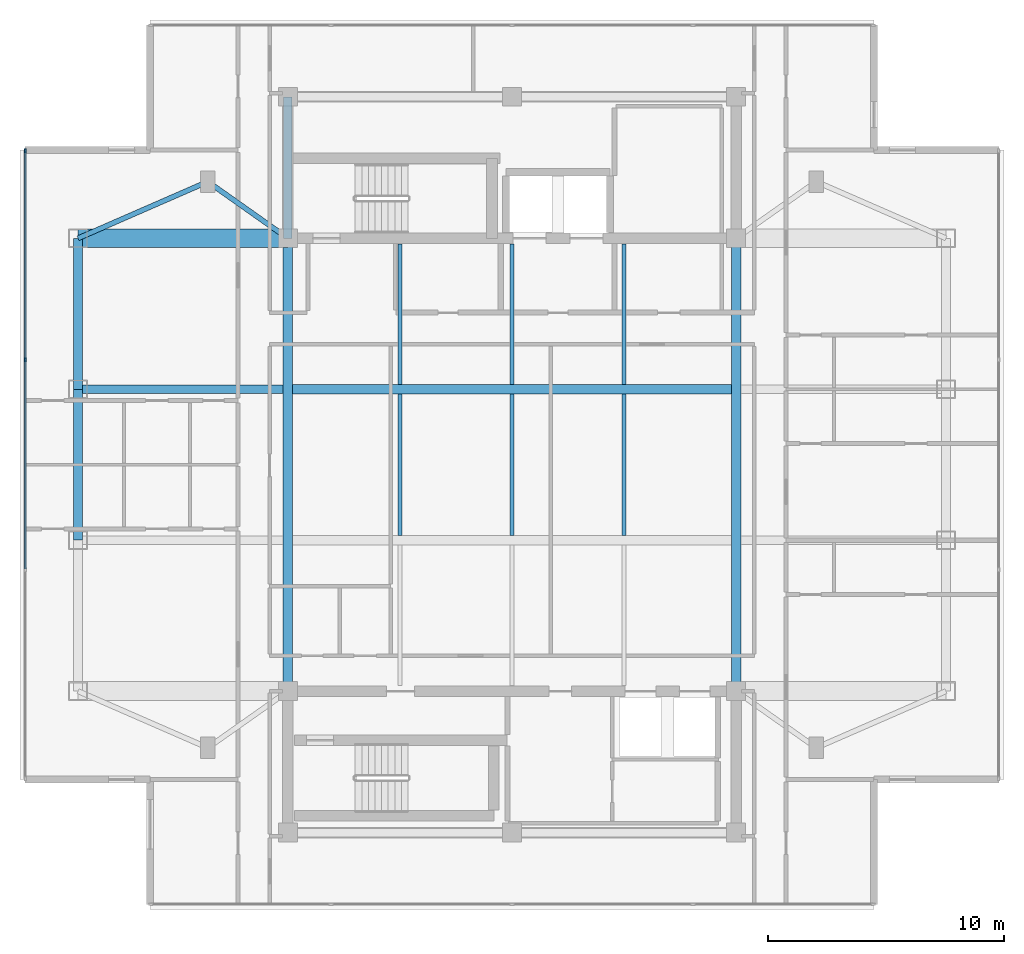
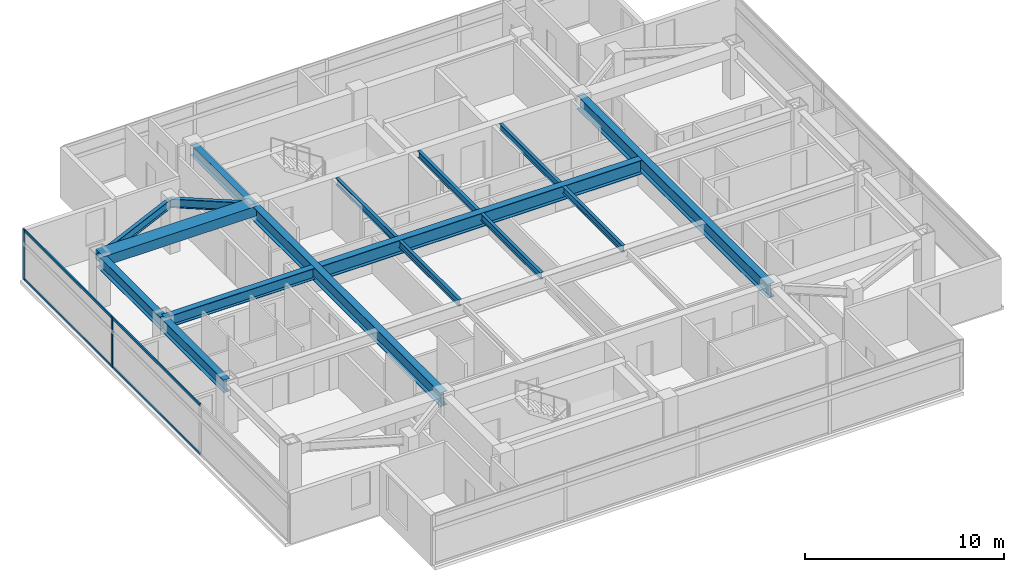
# One storey, part 3 of 12: 16 beams, 6 members, 1 element without a shape of its own.
"""IFC4 building model written with IfcOpenShell, lengths in metres."""

from ifc_helpers import new_model, si_unit, direction, frame, origin, origin_2d, place, context, subcontext, project, spatial, rectangle, i_section, extrude, material, material_profile, profile_set, type_object, element, aggregate, save


model = new_model("IFC4")

# Units and contexts
model_context = context("Model", 3, precision=1e-05, world=origin(), true_north=direction((0.0, 1.0)))
body_context = subcontext(model_context, "Body", "Model", "MODEL_VIEW")
ifc_project = project(units=[si_unit("LENGTHUNIT", "METRE"), si_unit("AREAUNIT", "SQUARE_METRE"), si_unit("VOLUMEUNIT", "CUBIC_METRE"), si_unit("PLANEANGLEUNIT", "RADIAN"), si_unit("MASSUNIT", "GRAM", prefix="KILO")], contexts=[model_context])

# Site, building, storey
site_placement = place(None, origin())
site = spatial("IfcSite", under=ifc_project, at=site_placement, CompositionType="ELEMENT")
building_placement = place(site_placement, origin())
building = spatial("IfcBuilding", under=site, at=building_placement, Name="Mirazonda Arch Towers", CompositionType="ELEMENT")
storey_placement = place(building_placement, frame((0.0, 0.0, 226.0)))
storey = spatial("IfcBuildingStorey", under=building, at=storey_placement, Name="L64", CompositionType="ELEMENT", Elevation=226.0)

# Beams
ifc_material_1 = material(Name="Steel ASTM A992 Grade 50", Category="steel")
ifc_material_profile_1 = material_profile(ifc_material_1, i_section(OverallWidth=0.381103515625, OverallDepth=0.77294921875, WebThickness=0.0166015625, FlangeThickness=0.027099609375, at=origin_2d()), Name="W30X173")
ifc_profile_set_1 = profile_set([ifc_material_profile_1], Name="Steel ASTM A992 Grade 50")
beam_type_1 = type_object("IfcBeamType", Name="BM-EXT-W30X173", PredefinedType="USERDEFINED", material=ifc_profile_set_1)
beam_1_placement = place(storey_placement, frame((2.10009765625, 24.800048828125, 2.71337890625), z_axis=(0.0, 1.0, 0.0), x_axis=(-1.0, 0.0, 0.0)))
element("IfcBeam", 1, at=beam_1_placement, inside=storey, type_object=beam_type_1, Name="L64 Floor Beam BM-T1-L64-NS-W-24", ObjectType="GIRDER", PredefinedType="USERDEFINED", context=body_context, shape_type="SweptSolid", body=[
    extrude(i_section(OverallWidth=0.381103515625, OverallDepth=0.77294921875, WebThickness=0.0166015625, FlangeThickness=0.027099609375, at=origin_2d()), origin(), (0.0, 0.0, 1.0), 6.39990234375),
])
beam_2_placement = place(storey_placement, frame((2.10009765625, 31.199951171875, 2.71337890625), z_axis=(0.0, 1.0, 0.0), x_axis=(-1.0, 0.0, 0.0)))
element("IfcBeam", 2, at=beam_2_placement, inside=storey, type_object=beam_type_1, Name="L64 Floor Beam BM-T1-L64-NS-W-31", ObjectType="GIRDER", PredefinedType="USERDEFINED", context=body_context, shape_type="SweptSolid", body=[
    extrude(i_section(OverallWidth=0.381103515625, OverallDepth=0.77294921875, WebThickness=0.0166015625, FlangeThickness=0.027099609375, at=origin_2d()), origin(), (0.0, 0.0, 1.0), 6.400146484375),
])
ifc_material_profile_2 = material_profile(ifc_material_1, i_section(OverallWidth=0.180908203125, OverallDepth=0.4169921875, WebThickness=0.010986328125, FlangeThickness=0.018310546875, at=origin_2d()), Name="W16X57")
ifc_profile_set_2 = profile_set([ifc_material_profile_2], Name="Steel ASTM A992 Grade 50")
beam_type_2 = type_object("IfcBeamType", Name="BM-INT-W16X57", PredefinedType="JOIST", material=ifc_profile_set_2)
beam_3_placement = place(storey_placement, frame((15.75, 31.39599609375, 2.8916015625), z_axis=(0.0, 1.0, 0.0), x_axis=(-1.0, 0.0, 0.0)))
element("IfcBeam", 3, at=beam_3_placement, inside=storey, type_object=beam_type_2, Name="L64 Floor Beam BM-T1-L64-J-157-31", PredefinedType="JOIST", context=body_context, shape_type="SweptSolid", body=[
    extrude(i_section(OverallWidth=0.180908203125, OverallDepth=0.4169921875, WebThickness=0.010986328125, FlangeThickness=0.018310546875, at=origin_2d()), origin(), (0.0, 0.0, 1.0), 5.964111328125),
])
beam_4_placement = place(storey_placement, frame((15.75, 24.99609375, 2.8916015625), z_axis=(0.0, 1.0, 0.0), x_axis=(-1.0, 0.0, 0.0)))
element("IfcBeam", 4, at=beam_4_placement, inside=storey, type_object=beam_type_2, Name="L64 Floor Beam BM-T1-L64-J-157-24", PredefinedType="JOIST", context=body_context, shape_type="SweptSolid", body=[
    extrude(i_section(OverallWidth=0.180908203125, OverallDepth=0.4169921875, WebThickness=0.010986328125, FlangeThickness=0.018310546875, at=origin_2d()), origin(), (0.0, 0.0, 1.0), 6.0078125),
])
beam_5_placement = place(storey_placement, frame((20.5, 31.39599609375, 2.8916015625), z_axis=(0.0, 1.0, 0.0), x_axis=(-1.0, 0.0, 0.0)))
element("IfcBeam", 5, at=beam_5_placement, inside=storey, type_object=beam_type_2, Name="L64 Floor Beam BM-T1-L64-J-205-31", PredefinedType="JOIST", context=body_context, shape_type="SweptSolid", body=[
    extrude(i_section(OverallWidth=0.180908203125, OverallDepth=0.4169921875, WebThickness=0.010986328125, FlangeThickness=0.018310546875, at=origin_2d()), origin(), (0.0, 0.0, 1.0), 5.964111328125),
])
beam_6_placement = place(storey_placement, frame((20.5, 24.99609375, 2.8916015625), z_axis=(0.0, 1.0, 0.0), x_axis=(-1.0, 0.0, 0.0)))
element("IfcBeam", 6, at=beam_6_placement, inside=storey, type_object=beam_type_2, Name="L64 Floor Beam BM-T1-L64-J-205-24", PredefinedType="JOIST", context=body_context, shape_type="SweptSolid", body=[
    extrude(i_section(OverallWidth=0.180908203125, OverallDepth=0.4169921875, WebThickness=0.010986328125, FlangeThickness=0.018310546875, at=origin_2d()), origin(), (0.0, 0.0, 1.0), 6.0078125),
])
beam_7_placement = place(storey_placement, frame((25.25, 31.39599609375, 2.8916015625), z_axis=(0.0, 1.0, 0.0), x_axis=(-1.0, 0.0, 0.0)))
element("IfcBeam", 7, at=beam_7_placement, inside=storey, type_object=beam_type_2, Name="L64 Floor Beam BM-T1-L64-J-252-31", PredefinedType="JOIST", context=body_context, shape_type="SweptSolid", body=[
    extrude(i_section(OverallWidth=0.180908203125, OverallDepth=0.4169921875, WebThickness=0.010986328125, FlangeThickness=0.018310546875, at=origin_2d()), origin(), (0.0, 0.0, 1.0), 5.964111328125),
])
beam_8_placement = place(storey_placement, frame((25.25, 24.99609375, 2.8916015625), z_axis=(0.0, 1.0, 0.0), x_axis=(-1.0, 0.0, 0.0)))
element("IfcBeam", 8, at=beam_8_placement, inside=storey, type_object=beam_type_2, Name="L64 Floor Beam BM-T1-L64-J-252-24", PredefinedType="JOIST", context=body_context, shape_type="SweptSolid", body=[
    extrude(i_section(OverallWidth=0.180908203125, OverallDepth=0.4169921875, WebThickness=0.010986328125, FlangeThickness=0.018310546875, at=origin_2d()), origin(), (0.0, 0.0, 1.0), 6.0078125),
])
ifc_material_profile_3 = material_profile(ifc_material_1, i_section(OverallWidth=0.214111328125, OverallDepth=0.549072265625, WebThickness=0.0146484375, FlangeThickness=0.023681640625, at=origin_2d()), Name="W21X93")
ifc_profile_set_3 = profile_set([ifc_material_profile_3], Name="Steel ASTM A992 Grade 50")
beam_type_3 = type_object("IfcBeamType", Name="BM-INT-W21X93", PredefinedType="BEAM", material=ifc_profile_set_3)
beam_9_placement = place(storey_placement, frame((7.60009765625, 40.0, 2.825439453125), z_axis=(0.816971114901, -0.576678591087, 0.0), x_axis=(0.576678591087, 0.816971114901, 0.0)))
element("IfcBeam", 9, at=beam_9_placement, inside=storey, type_object=beam_type_3, Name="L64 Floor Beam BM-T1-L64-PL-NW1", PredefinedType="BEAM", context=body_context, shape_type="SweptSolid", body=[
    extrude(i_section(OverallWidth=0.214111328125, OverallDepth=0.549072265625, WebThickness=0.0146484375, FlangeThickness=0.023681640625, at=origin_2d()), origin(), (0.0, 0.0, 1.0), 4.16162109375),
])
beam_10_placement = place(storey_placement, frame((7.60009765625, 40.0, 2.825439453125), z_axis=(-0.916545343703, -0.399930785183, 0.0), x_axis=(0.399930785183, -0.916545343703, 0.0)))
element("IfcBeam", 10, at=beam_10_placement, inside=storey, type_object=beam_type_3, Name="L64 Floor Beam BM-T1-L64-PL-NW2", PredefinedType="BEAM", context=body_context, shape_type="SweptSolid", body=[
    extrude(i_section(OverallWidth=0.214111328125, OverallDepth=0.549072265625, WebThickness=0.0146484375, FlangeThickness=0.023681640625, at=origin_2d()), origin(), (0.0, 0.0, 1.0), 6.000732421875),
])
ifc_material_profile_4 = material_profile(ifc_material_1, i_section(OverallWidth=0.35498046875, OverallDepth=0.696044921875, WebThickness=0.015380859375, FlangeThickness=0.02490234375, at=origin_2d()), Name="W27X146")
ifc_profile_set_4 = profile_set([ifc_material_profile_4], Name="Steel ASTM A992 Grade 50")
beam_type_4 = type_object("IfcBeamType", Name="BM-INT-W27X146", PredefinedType="BEAM", material=ifc_profile_set_4)
beam_11_placement = place(storey_placement, frame((2.10009765625, 31.199951171875, 2.751953125), z_axis=(1.0, 0.0, 0.0), x_axis=(0.0, 1.0, 0.0)))
element("IfcBeam", 11, at=beam_11_placement, inside=storey, type_object=beam_type_4, Name="L64 Floor Beam BM-T1-L64-GW3", PredefinedType="BEAM", context=body_context, shape_type="SweptSolid", body=[
    extrude(i_section(OverallWidth=0.35498046875, OverallDepth=0.696044921875, WebThickness=0.015380859375, FlangeThickness=0.02490234375, at=origin_2d()), origin(), (0.0, 0.0, 1.0), 8.699951171875),
])
beam_12_placement = place(storey_placement, frame((11.0, 37.60009765625, 2.751953125), z_axis=(0.0, 1.0, 0.0), x_axis=(-1.0, 0.0, 0.0)))
element("IfcBeam", 12, at=beam_12_placement, inside=storey, type_object=beam_type_4, Name="L64 Floor Beam BM-T1-L64-CNW", PredefinedType="BEAM", context=body_context, shape_type="SweptSolid", body=[
    extrude(i_section(OverallWidth=0.35498046875, OverallDepth=0.696044921875, WebThickness=0.015380859375, FlangeThickness=0.02490234375, at=origin_2d()), origin(), (0.0, 0.0, 1.0), 6.0),
])
ifc_material_profile_5 = material_profile(ifc_material_1, i_section(OverallWidth=0.39990234375, OverallDepth=0.85595703125, WebThickness=0.018310546875, FlangeThickness=0.029296875, at=origin_2d()), Name="W33X201")
ifc_profile_set_5 = profile_set([ifc_material_profile_5], Name="Steel ASTM A992 Grade 50")
beam_type_5 = type_object("IfcBeamType", Name="BM-INT-W33X201", PredefinedType="USERDEFINED", material=ifc_profile_set_5)
beam_13_placement = place(storey_placement, frame((11.199951171875, 31.199951171875, 2.672119140625), z_axis=(1.0, 0.0, 0.0), x_axis=(0.0, 1.0, 0.0)))
element("IfcBeam", 13, at=beam_13_placement, inside=storey, type_object=beam_type_5, Name="L64 Floor Beam BM-T1-L64-GC3", ObjectType="GIRDER", PredefinedType="USERDEFINED", context=body_context, shape_type="SweptSolid", body=[
    extrude(i_section(OverallWidth=0.39990234375, OverallDepth=0.85595703125, WebThickness=0.018310546875, FlangeThickness=0.029296875, at=origin_2d()), origin(), (0.0, 0.0, 1.0), 18.60009765625),
])
for number, where, z_axis, x_axis, name in (
    (14, (11.0, 18.39990234375, 2.672119140625), (0.0, 1.0, 0.0), (-1.0, 0.0, 0.0), "L64 Floor Beam BM-T1-L64-NS-CW-FULL"),
    (15, (30.0, 18.39990234375, 2.672119140625), (0.0, 1.0, 0.0), (-1.0, 0.0, 0.0), "L64 Floor Beam BM-T1-L64-NS-CE-FULL"),
):
    element("IfcBeam", number, at=place(storey_placement, frame(where, z_axis=z_axis, x_axis=x_axis)), inside=storey, type_object=beam_type_5, Name=name, ObjectType="GIRDER", PredefinedType="USERDEFINED", context=body_context, shape_type="SweptSolid", body=[
        extrude(i_section(OverallWidth=0.39990234375, OverallDepth=0.85595703125, WebThickness=0.018310546875, FlangeThickness=0.029296875, at=origin_2d()), origin(), (0.0, 0.0, 1.0), 19.2001953125),
    ])
ifc_material_2 = material(Name="Concrete C60/75", Category="concrete")
ifc_material_profile_6 = material_profile(ifc_material_2, rectangle(XDim=0.800048828125, YDim=0.60009765625, at=origin_2d()), Name="RCCB800x600")
ifc_profile_set_6 = profile_set([ifc_material_profile_6], Name="Concrete C60/75")
beam_type_6 = type_object("IfcBeamType", Name="CB-INT-RCCB800x600", PredefinedType="SPANDREL", material=ifc_profile_set_6)
beam_14_placement = place(storey_placement, frame((2.10009765625, 37.60009765625, 2.800048828125), z_axis=(1.0, 0.0, 0.0), x_axis=(0.0, 1.0, 0.0)))
element("IfcBeam", 16, at=beam_14_placement, inside=storey, type_object=beam_type_6, Name="L64 Floor Beam CBC-T1-L64-NW", PredefinedType="SPANDREL", context=body_context, shape_type="SweptSolid", body=[
    extrude(rectangle(XDim=0.800048828125, YDim=0.60009765625, at=origin_2d()), origin(), (0.0, 0.0, 1.0), 8.89990234375),
])

# Curtain wall, members
ifc_material_3 = material(Name="Anodised Aluminium and Low-E Glass", Category="aluminium")
curtain_wall_type = type_object("IfcCurtainWallType", Name="CW-RES-UNIT", PredefinedType="NOTDEFINED", material=ifc_material_3)
curtain_wall_placement = place(storey_placement, origin())
curtain_wall = element("IfcCurtainWall", 17, at=curtain_wall_placement, inside=storey, type_object=curtain_wall_type, Name="L64 T1 W Facade CW-L64-T1-W", PredefinedType="NOTDEFINED")
ifc_material_4 = material(Name="Anodised Aluminium Alloy", Category="aluminium")
ifc_material_profile_7 = material_profile(ifc_material_4, rectangle(XDim=0.074951171875, YDim=0.175048828125, at=origin_2d()), Name="ALU-MULL-75x175")
ifc_profile_set_7 = profile_set([ifc_material_profile_7], Name="Anodised Aluminium Alloy")
member_type_1 = type_object("IfcMemberType", Name="MULL-CW-RES-UNIT", PredefinedType="MULLION", material=ifc_profile_set_7)
member_1_placement = place(storey_placement, frame((-0.139892578125, 41.30859375, 0.0), z_axis=(0.0, 0.0, 1.0), x_axis=(1.0, 0.0, 0.0)))
member_1 = element("IfcMember", 18, at=member_1_placement, type_object=member_type_1, Name="CW-104 mullion 1", PredefinedType="MULLION", context=body_context, shape_type="SweptSolid", body=[
    extrude(rectangle(XDim=0.074951171875, YDim=0.175048828125, at=origin_2d()), origin(), (0.0, 0.0, 1.0), 3.080078125),
])
member_2_placement = place(storey_placement, frame((-0.139892578125, 32.44873046875, 0.0), z_axis=(0.0, 0.0, 1.0), x_axis=(1.0, 0.0, 0.0)))
member_2 = element("IfcMember", 19, at=member_2_placement, type_object=member_type_1, Name="CW-104 mullion 2", PredefinedType="MULLION", context=body_context, shape_type="SweptSolid", body=[
    extrude(rectangle(XDim=0.074951171875, YDim=0.175048828125, at=origin_2d()), origin(), (0.0, 0.0, 1.0), 3.080078125),
])
ifc_material_profile_8 = material_profile(ifc_material_4, rectangle(XDim=0.074951171875, YDim=0.155029296875, at=origin_2d()), Name="ALU-TRAN-75x155")
ifc_profile_set_8 = profile_set([ifc_material_profile_8], Name="Anodised Aluminium Alloy")
member_type_2 = type_object("IfcMemberType", Name="TRAN-CW-RES-UNIT", PredefinedType="USERDEFINED", material=ifc_profile_set_8)
member_3_placement = place(storey_placement, frame((-0.139892578125, 41.27099609375, 0.03759765625), z_axis=(0.0, -1.0, 0.0), x_axis=(1.0, 0.0, 0.0)))
member_3 = element("IfcMember", 20, at=member_3_placement, type_object=member_type_2, Name="CW-104 transom 1.1", ObjectType="TRANSOM", PredefinedType="USERDEFINED", context=body_context, shape_type="SweptSolid", body=[
    extrude(rectangle(XDim=0.074951171875, YDim=0.155029296875, at=origin_2d()), origin(), (0.0, 0.0, 1.0), 8.784912109375),
])
member_4_placement = place(storey_placement, frame((-0.139892578125, 41.27099609375, 3.04248046875), z_axis=(0.0, -1.0, 0.0), x_axis=(1.0, 0.0, 0.0)))
member_4 = element("IfcMember", 21, at=member_4_placement, type_object=member_type_2, Name="CW-104 transom 1.2", ObjectType="TRANSOM", PredefinedType="USERDEFINED", context=body_context, shape_type="SweptSolid", body=[
    extrude(rectangle(XDim=0.074951171875, YDim=0.155029296875, at=origin_2d()), origin(), (0.0, 0.0, 1.0), 8.784912109375),
])
member_5_placement = place(storey_placement, frame((-0.139892578125, 32.4111328125, 0.03759765625), z_axis=(0.0, -1.0, 0.0), x_axis=(1.0, 0.0, 0.0)))
member_5 = element("IfcMember", 22, at=member_5_placement, type_object=member_type_2, Name="CW-104 transom 2.1", ObjectType="TRANSOM", PredefinedType="USERDEFINED", context=body_context, shape_type="SweptSolid", body=[
    extrude(rectangle(XDim=0.074951171875, YDim=0.155029296875, at=origin_2d()), origin(), (0.0, 0.0, 1.0), 8.822265625),
])
member_6_placement = place(storey_placement, frame((-0.139892578125, 32.4111328125, 3.04248046875), z_axis=(0.0, -1.0, 0.0), x_axis=(1.0, 0.0, 0.0)))
member_6 = element("IfcMember", 23, at=member_6_placement, type_object=member_type_2, Name="CW-104 transom 2.2", ObjectType="TRANSOM", PredefinedType="USERDEFINED", context=body_context, shape_type="SweptSolid", body=[
    extrude(rectangle(XDim=0.074951171875, YDim=0.155029296875, at=origin_2d()), origin(), (0.0, 0.0, 1.0), 8.822265625),
])
aggregate(curtain_wall, [member_1, member_2, member_3, member_4, member_5, member_6])

save(model, "model.ifc")
